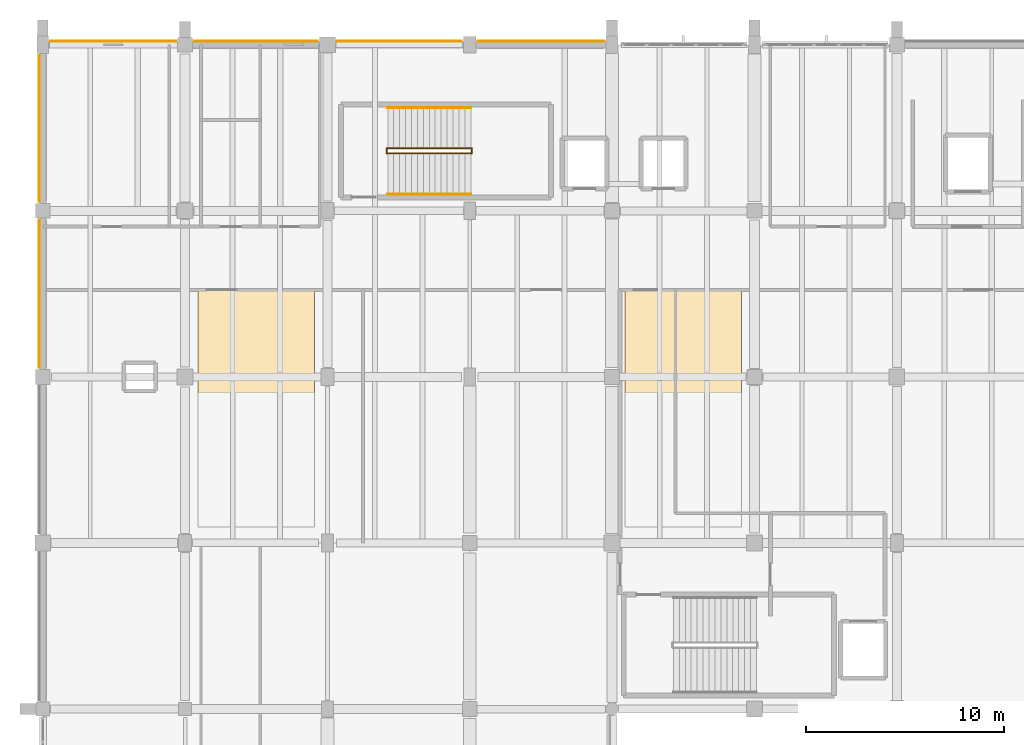
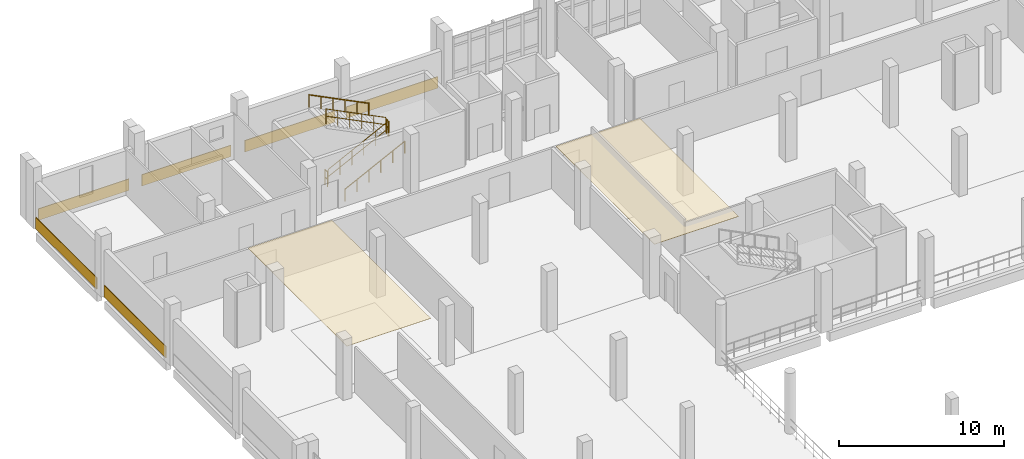
# One storey, part 121 of 124: 8 coverings, 6 railings.
"""IFC4 building model written with IfcOpenShell, lengths in metres."""

from ifc_helpers import new_model, si_unit, direction, frame, origin, origin_2d, place, context, subcontext, project, spatial, polyline, rectangle, circle, outline, extrude, material, layer, layer_set, type_object, element, save


model = new_model("IFC4")

# Units and contexts
model_context = context("Model", 3, precision=1e-05, world=origin(), true_north=direction((0.0, 1.0)))
body_context = subcontext(model_context, "Body", "Model", "MODEL_VIEW")
ifc_project = project(units=[si_unit("LENGTHUNIT", "METRE"), si_unit("AREAUNIT", "SQUARE_METRE"), si_unit("VOLUMEUNIT", "CUBIC_METRE"), si_unit("PLANEANGLEUNIT", "RADIAN"), si_unit("MASSUNIT", "GRAM", prefix="KILO")], contexts=[model_context])

# Site, building, storey
site_placement = place(None, origin())
site = spatial("IfcSite", under=ifc_project, at=site_placement, CompositionType="ELEMENT")
building_placement = place(site_placement, origin())
building = spatial("IfcBuilding", under=site, at=building_placement, Name="Kalluvel Institute of Natural Sciences", CompositionType="ELEMENT")
storey_placement = place(building_placement, frame((0.0, 0.0, 9.89990234375)))
storey = spatial("IfcBuildingStorey", under=building, at=storey_placement, Name="L02", CompositionType="ELEMENT", Elevation=9.89990234375)

# Coverings
ifc_material_1 = material(Name="Perforated Mineral-Fibre Acoustic Tile", Category="gypsum")
ifc_layer_1 = layer(ifc_material_1, 0.02490234375)
ifc_layer_set_1 = layer_set([ifc_layer_1], Name="Perforated Mineral-Fibre Acoustic Tile")
covering_type_1 = type_object("IfcCoveringType", Name="COV-CEIL-600", PredefinedType="CEILING", material=ifc_layer_set_1)
covering_1_placement = place(storey_placement, frame((0.0, 0.0, 2.9501953125)))
element("IfcCovering", 1, at=covering_1_placement, inside=storey, type_object=covering_type_1, Name="L02 laboratory acoustic ceiling panel 5", PredefinedType="CEILING", context=body_context, shape_type="SweptSolid", body=[
    extrude(outline(polyline([(21.85009765625, 103.60009765625), (27.75, 103.60009765625), (27.75, 115.60009765625), (21.85009765625, 115.60009765625), (21.85009765625, 103.60009765625)])), origin(), (0.0, 0.0, 1.0), 0.02490234375),
])
covering_2_placement = place(storey_placement, frame((0.0, 0.0, 2.9501953125)))
element("IfcCovering", 2, at=covering_2_placement, inside=storey, type_object=covering_type_1, Name="L02 laboratory acoustic ceiling panel 6", PredefinedType="CEILING", context=body_context, shape_type="SweptSolid", body=[
    extrude(outline(polyline([(43.449951171875, 103.60009765625), (49.35009765625, 103.60009765625), (49.35009765625, 115.60009765625), (43.449951171875, 115.60009765625), (43.449951171875, 103.60009765625)])), origin(), (0.0, 0.0, 1.0), 0.02490234375),
])
ifc_material_2 = material(Name="Sadarahalli Grey Granite Ashlar Concrete M40", Category="masonry")
ifc_layer_2 = layer(ifc_material_2, 0.044921875)
ifc_layer_set_2 = layer_set([ifc_layer_2], Name="Sadarahalli Grey Granite Ashlar Concrete M40")
covering_type_2 = type_object("IfcCoveringType", Name="COV-CLAD-STONE", PredefinedType="CLADDING", material=ifc_layer_set_2)
covering_3_placement = place(storey_placement, frame((17.5625, 128.179931640625, 0.025146484375), z_axis=(0.0, 0.0, 1.0), x_axis=(1.0, 0.0, 0.0)))
element("IfcCovering", 3, at=covering_3_placement, inside=storey, type_object=covering_type_2, Name="L02 Sadarahalli granite plinth spandrel cladding 25", PredefinedType="CLADDING", context=body_context, shape_type="SweptSolid", body=[
    extrude(rectangle(XDim=6.364990234375, YDim=0.044921875, at=origin_2d()), origin(), (0.0, 0.0, 1.0), 0.85009765625),
])
covering_4_placement = place(storey_placement, frame((24.78759765625, 128.179931640625, 0.025146484375), z_axis=(0.0, 0.0, 1.0), x_axis=(1.0, 0.0, 0.0)))
element("IfcCovering", 4, at=covering_4_placement, inside=storey, type_object=covering_type_2, Name="L02 Sadarahalli granite plinth spandrel cladding 26", PredefinedType="CLADDING", context=body_context, shape_type="SweptSolid", body=[
    extrude(rectangle(XDim=6.264892578125, YDim=0.044921875, at=origin_2d()), origin(), (0.0, 0.0, 1.0), 0.85009765625),
])
covering_5_placement = place(storey_placement, frame((32.03759765625, 128.179931640625, 0.025146484375), z_axis=(0.0, 0.0, 1.0), x_axis=(1.0, 0.0, 0.0)))
element("IfcCovering", 5, at=covering_5_placement, inside=storey, type_object=covering_type_2, Name="L02 Sadarahalli granite plinth spandrel cladding 27", PredefinedType="CLADDING", context=body_context, shape_type="SweptSolid", body=[
    extrude(rectangle(XDim=6.31494140625, YDim=0.044921875, at=origin_2d()), origin(), (0.0, 0.0, 1.0), 0.85009765625),
])
covering_6_placement = place(storey_placement, frame((39.21240234375, 128.179931640625, 0.025146484375), z_axis=(0.0, 0.0, 1.0), x_axis=(1.0, 0.0, 0.0)))
element("IfcCovering", 6, at=covering_6_placement, inside=storey, type_object=covering_type_2, Name="L02 Sadarahalli granite plinth spandrel cladding 28", PredefinedType="CLADDING", context=body_context, shape_type="SweptSolid", body=[
    extrude(rectangle(XDim=6.4150390625, YDim=0.044921875, at=origin_2d()), origin(), (0.0, 0.0, 1.0), 0.85009765625),
])
covering_7_placement = place(storey_placement, frame((13.820068359375, 115.39990234375, 0.025146484375), z_axis=(0.0, 0.0, 1.0), x_axis=(0.0, 1.0, 0.0)))
element("IfcCovering", 7, at=covering_7_placement, inside=storey, type_object=covering_type_2, Name="L02 Sadarahalli granite plinth spandrel cladding 34", PredefinedType="CLADDING", context=body_context, shape_type="SweptSolid", body=[
    extrude(rectangle(XDim=7.489990234375, YDim=0.044921875, at=origin_2d()), origin(), (0.0, 0.0, 1.0), 0.85009765625),
])
covering_8_placement = place(storey_placement, frame((13.820068359375, 123.762451171875, 0.025146484375), z_axis=(0.0, 0.0, 1.0), x_axis=(0.0, 1.0, 0.0)))
element("IfcCovering", 8, at=covering_8_placement, inside=storey, type_object=covering_type_2, Name="L02 Sadarahalli granite plinth spandrel cladding 35", PredefinedType="CLADDING", context=body_context, shape_type="SweptSolid", body=[
    extrude(rectangle(XDim=7.4150390625, YDim=0.044921875, at=origin_2d()), origin(), (0.0, 0.0, 1.0), 0.85009765625),
])

# Railings
ifc_material_3 = material(Name="Galvanized Fire-Rated Steel", Category="steel")
railing_type_1 = type_object("IfcRailingType", Name="RL-GD-STAIR", PredefinedType="BALUSTRADE", material=ifc_material_3)
railing_1_placement = place(storey_placement, frame((31.449951171875, 122.510009765625, 0.150146484375)))
element("IfcRailing", 9, at=railing_1_placement, inside=storey, type_object=railing_type_1, Name="L02 ST1 stair guard 1", PredefinedType="BALUSTRADE", context=body_context, shape_type="SweptSolid", body=[
    extrude(circle(Radius=0.02392578125, at=origin_2d()), frame((0.0, 0.0, 1.09619140625), z_axis=(0.894437589381, 0.0, 0.447192798132), x_axis=(0.0, 1.0, 0.0)), (0.0, 0.0, 1.0), 4.695556640625),
    extrude(circle(Radius=0.02392578125, at=origin_2d()), frame((0.0, 0.0, 0.56005859375), z_axis=(0.894437589381, 0.0, 0.447192798132), x_axis=(0.0, 1.0, 0.0)), (0.0, 0.0, 1.0), 4.695556640625),
    extrude(circle(Radius=0.02099609375, at=origin_2d()), origin(), (0.0, 0.0, 1.0), 1.072021484375),
    extrude(circle(Radius=0.02099609375, at=origin_2d()), frame((0.840087890625, 0.0, 0.419921875)), (0.0, 0.0, 1.0), 1.072021484375),
    extrude(circle(Radius=0.02099609375, at=origin_2d()), frame((1.679931640625, 0.0, 0.83984375)), (0.0, 0.0, 1.0), 1.072021484375),
    extrude(circle(Radius=0.02099609375, at=origin_2d()), frame((2.52001953125, 0.0, 1.260009765625)), (0.0, 0.0, 1.0), 1.072021484375),
    extrude(circle(Radius=0.02099609375, at=origin_2d()), frame((3.35986328125, 0.0, 1.679931640625)), (0.0, 0.0, 1.0), 1.072021484375),
    extrude(circle(Radius=0.02099609375, at=origin_2d()), frame((4.199951171875, 0.0, 2.099853515625)), (0.0, 0.0, 1.0), 1.072021484375),
])
railing_2_placement = place(storey_placement, frame((35.699951171875, 122.4951171875, 2.25)))
element("IfcRailing", 10, at=railing_2_placement, inside=storey, type_object=railing_type_1, Name="L02 ST1 stair guard 2", PredefinedType="BALUSTRADE", context=body_context, shape_type="SweptSolid", body=[
    extrude(circle(Radius=0.02392578125, at=origin_2d()), frame((0.0, 0.0, 1.09619140625), z_axis=(0.0, 1.0, 0.0), x_axis=(-1.0, 0.0, 0.0)), (0.0, 0.0, 1.0), 0.27978515625),
    extrude(circle(Radius=0.02392578125, at=origin_2d()), frame((0.0, 0.0, 0.56005859375), z_axis=(0.0, 1.0, 0.0), x_axis=(-1.0, 0.0, 0.0)), (0.0, 0.0, 1.0), 0.27978515625),
    extrude(circle(Radius=0.02099609375, at=origin_2d()), origin(), (0.0, 0.0, 1.0), 1.072021484375),
    extrude(circle(Radius=0.02099609375, at=origin_2d()), frame((0.0, 0.27978515625, 0.0)), (0.0, 0.0, 1.0), 1.072021484375),
])
railing_3_placement = place(storey_placement, frame((35.64990234375, 122.760009765625, 2.400146484375)))
element("IfcRailing", 11, at=railing_3_placement, inside=storey, type_object=railing_type_1, Name="L02 ST1 stair guard 3", PredefinedType="BALUSTRADE", context=body_context, shape_type="SweptSolid", body=[
    extrude(circle(Radius=0.02392578125, at=origin_2d()), frame((0.0, 0.0, 1.09619140625), z_axis=(-0.894437589381, 0.0, 0.447192798132), x_axis=(0.0, -1.0, 0.0)), (0.0, 0.0, 1.0), 4.695556640625),
    extrude(circle(Radius=0.02392578125, at=origin_2d()), frame((0.0, 0.0, 0.56005859375), z_axis=(-0.894437589381, 0.0, 0.447192798132), x_axis=(0.0, -1.0, 0.0)), (0.0, 0.0, 1.0), 4.695556640625),
    extrude(circle(Radius=0.02099609375, at=origin_2d()), origin(), (0.0, 0.0, 1.0), 1.072021484375),
    extrude(circle(Radius=0.02099609375, at=origin_2d()), frame((-0.840087890625, 0.0, 0.419921875)), (0.0, 0.0, 1.0), 1.072021484375),
    extrude(circle(Radius=0.02099609375, at=origin_2d()), frame((-1.679931640625, 0.0, 0.83984375)), (0.0, 0.0, 1.0), 1.072021484375),
    extrude(circle(Radius=0.02099609375, at=origin_2d()), frame((-2.52001953125, 0.0, 1.260009765625)), (0.0, 0.0, 1.0), 1.072021484375),
    extrude(circle(Radius=0.02099609375, at=origin_2d()), frame((-3.35986328125, 0.0, 1.679931640625)), (0.0, 0.0, 1.0), 1.072021484375),
    extrude(circle(Radius=0.02099609375, at=origin_2d()), frame((-4.199951171875, 0.0, 2.099853515625)), (0.0, 0.0, 1.0), 1.072021484375),
])
railing_4_placement = place(storey_placement, frame((31.39990234375, 122.4951171875, 0.0)))
element("IfcRailing", 12, at=railing_4_placement, inside=storey, type_object=railing_type_1, Name="L02 ST1 stair guard 4", PredefinedType="BALUSTRADE", context=body_context, shape_type="SweptSolid", body=[
    extrude(circle(Radius=0.02392578125, at=origin_2d()), frame((0.0, 0.0, 1.09619140625), z_axis=(0.0, 1.0, 0.0), x_axis=(-1.0, 0.0, 0.0)), (0.0, 0.0, 1.0), 0.27978515625),
    extrude(circle(Radius=0.02392578125, at=origin_2d()), frame((0.0, 0.0, 0.56005859375), z_axis=(0.0, 1.0, 0.0), x_axis=(-1.0, 0.0, 0.0)), (0.0, 0.0, 1.0), 0.27978515625),
    extrude(circle(Radius=0.02099609375, at=origin_2d()), origin(), (0.0, 0.0, 1.0), 1.072021484375),
    extrude(circle(Radius=0.02099609375, at=origin_2d()), frame((0.0, 0.27978515625, 0.0)), (0.0, 0.0, 1.0), 1.072021484375),
])
railing_type_2 = type_object("IfcRailingType", Name="RL-HR-STAIR", PredefinedType="HANDRAIL", material=ifc_material_3)
railing_5_placement = place(storey_placement, frame((31.449951171875, 120.449951171875, 0.150146484375)))
element("IfcRailing", 13, at=railing_5_placement, inside=storey, type_object=railing_type_2, Name="L02 ST1 stair handrail 1", PredefinedType="HANDRAIL", context=body_context, shape_type="SweptSolid", body=[
    extrude(circle(Radius=0.02392578125, at=origin_2d()), frame((0.0, 0.0, 0.89599609375), z_axis=(0.894437589381, 0.0, 0.447192798132), x_axis=(0.0, 1.0, 0.0)), (0.0, 0.0, 1.0), 4.695556640625),
    extrude(circle(Radius=0.02099609375, at=origin_2d()), origin(), (0.0, 0.0, 1.0), 0.871826171875),
    extrude(circle(Radius=0.02099609375, at=origin_2d()), frame((0.840087890625, 0.0, 0.419921875)), (0.0, 0.0, 1.0), 0.871826171875),
    extrude(circle(Radius=0.02099609375, at=origin_2d()), frame((1.679931640625, 0.0, 0.83984375)), (0.0, 0.0, 1.0), 0.871826171875),
    extrude(circle(Radius=0.02099609375, at=origin_2d()), frame((2.52001953125, 0.0, 1.260009765625)), (0.0, 0.0, 1.0), 0.871826171875),
    extrude(circle(Radius=0.02099609375, at=origin_2d()), frame((3.35986328125, 0.0, 1.679931640625)), (0.0, 0.0, 1.0), 0.871826171875),
    extrude(circle(Radius=0.02099609375, at=origin_2d()), frame((4.199951171875, 0.0, 2.099853515625)), (0.0, 0.0, 1.0), 0.871826171875),
])
railing_6_placement = place(storey_placement, frame((35.64990234375, 124.820068359375, 2.400146484375)))
element("IfcRailing", 14, at=railing_6_placement, inside=storey, type_object=railing_type_2, Name="L02 ST1 stair handrail 2", PredefinedType="HANDRAIL", context=body_context, shape_type="SweptSolid", body=[
    extrude(circle(Radius=0.02392578125, at=origin_2d()), frame((0.0, 0.0, 0.89599609375), z_axis=(-0.894437589381, 0.0, 0.447192798132), x_axis=(0.0, -1.0, 0.0)), (0.0, 0.0, 1.0), 4.695556640625),
    extrude(circle(Radius=0.02099609375, at=origin_2d()), origin(), (0.0, 0.0, 1.0), 0.871826171875),
    extrude(circle(Radius=0.02099609375, at=origin_2d()), frame((-0.840087890625, 0.0, 0.419921875)), (0.0, 0.0, 1.0), 0.871826171875),
    extrude(circle(Radius=0.02099609375, at=origin_2d()), frame((-1.679931640625, 0.0, 0.83984375)), (0.0, 0.0, 1.0), 0.871826171875),
    extrude(circle(Radius=0.02099609375, at=origin_2d()), frame((-2.52001953125, 0.0, 1.260009765625)), (0.0, 0.0, 1.0), 0.871826171875),
    extrude(circle(Radius=0.02099609375, at=origin_2d()), frame((-3.35986328125, 0.0, 1.679931640625)), (0.0, 0.0, 1.0), 0.871826171875),
    extrude(circle(Radius=0.02099609375, at=origin_2d()), frame((-4.199951171875, 0.0, 2.099853515625)), (0.0, 0.0, 1.0), 0.871826171875),
])

save(model, "model.ifc")
